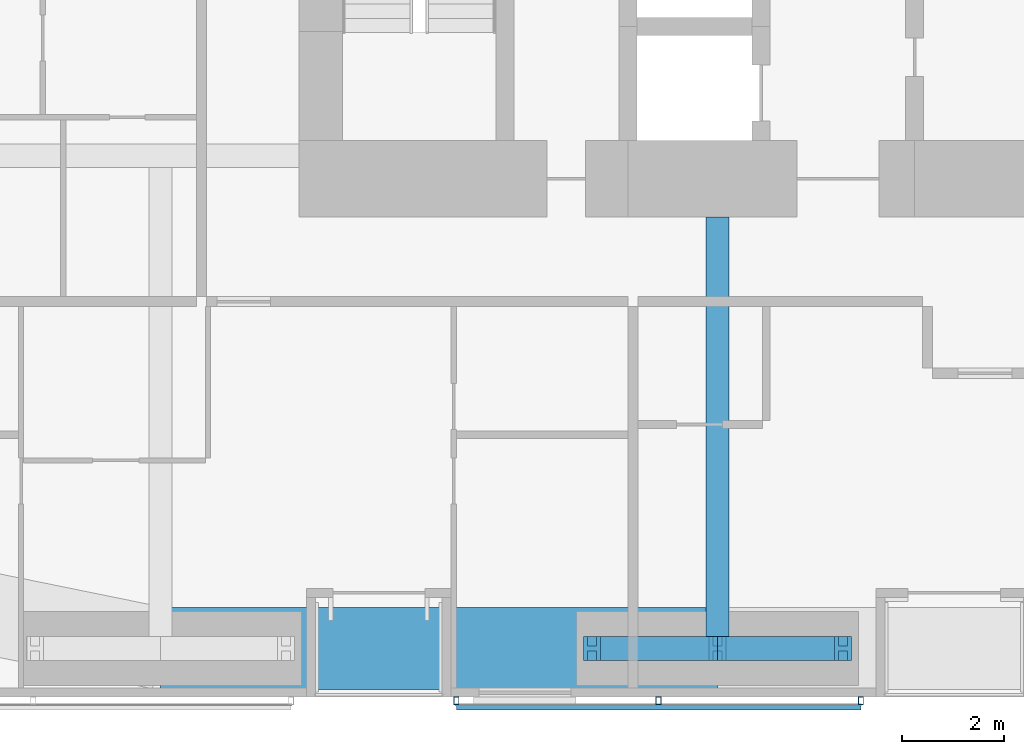
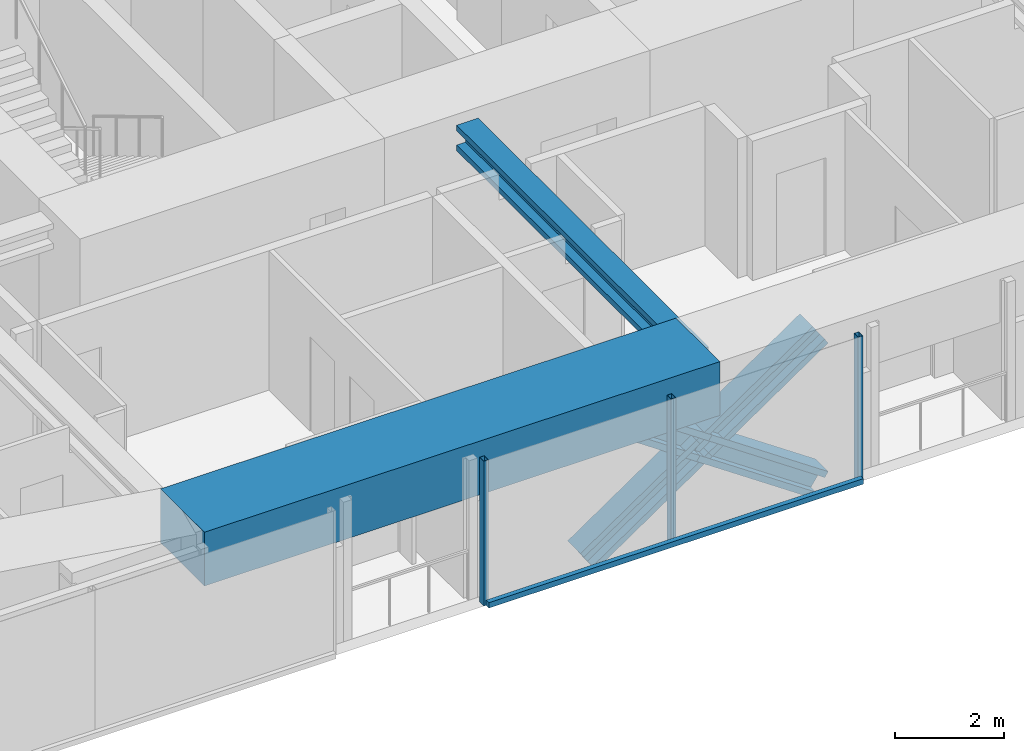
# One storey, part 4 of 23: 8 members, 2 beams, 1 element without a shape of its own.
"""IFC4 building model written with IfcOpenShell, lengths in metres."""

import ifcopenshell
import ifcopenshell.guid

model = None  # the IFC model being written
_history = None  # IfcOwnerHistory: only IFC2X3 demands one
_inside = {}  # id of a spatial element -> (the spatial element, [elements in it])
_under = {}  # id of a project, library or spatial element -> (it, [spatial elements below it])
_declared = {}  # id of a project -> (the project, [libraries it declares])
_typed = {}  # id of a type object -> (the type object, [elements of that type])
_made_of = {}  # id of a material, layer set ... -> (it, [elements and type objects made of it])


def new_model(schema):
    """Start an empty IFC model of exactly this schema.

    Asked for "IFC4X3", IfcOpenShell would pick the latest addendum, in which some entities
    have other attributes; the version numbers below select the first issue.
    IFC2X3 requires an IfcOwnerHistory on every rooted entity: one is made here for all.
    """
    global model, _history
    if schema == "IFC4X3":
        model = ifcopenshell.file(schema_version=(4, 3, 0, 0))
    else:
        model = ifcopenshell.file(schema=schema)
    _inside.clear()
    _under.clear()
    _declared.clear()
    _typed.clear()
    _made_of.clear()
    _history = None
    if model.schema == "IFC2X3":
        org = make("IfcOrganization", Name="unknown")
        user = make(
            "IfcPersonAndOrganization",
            ThePerson=make("IfcPerson", FamilyName="unknown"),
            TheOrganization=org,
        )
        app = make(
            "IfcApplication",
            ApplicationDeveloper=org,
            Version="unknown",
            ApplicationFullName="unknown",
            ApplicationIdentifier="unknown",
        )
        _history = make(
            "IfcOwnerHistory",
            OwningUser=user,
            OwningApplication=app,
            ChangeAction="ADDED",
            CreationDate=0,
        )
    return model


def make(cls, **values):
    """One entity of the class cls with the attributes given. An attribute that is None is left unset."""
    return model.create_entity(
        cls, **{name: value for name, value in values.items() if value is not None}
    )


def rooted(cls, **values):
    """An entity with a GlobalId (a new one), such as an element, a storey or a relation."""
    return make(cls, GlobalId=ifcopenshell.guid.new(), OwnerHistory=_history, **values)


def si_unit(unit_type, name, prefix=None):
    """IfcSIUnit, for example si_unit("LENGTHUNIT", "METRE", prefix="MILLI")."""
    return make("IfcSIUnit", UnitType=unit_type, Prefix=prefix, Name=name)


def assignment(units):
    """IfcUnitAssignment: the units of a project."""
    return None if units is None else make("IfcUnitAssignment", Units=units)


def point(xyz):
    """IfcCartesianPoint."""
    return None if xyz is None else make("IfcCartesianPoint", Coordinates=xyz)


def direction(xyz):
    """IfcDirection."""
    return None if xyz is None else make("IfcDirection", DirectionRatios=xyz)


def frame(location, z_axis=None, x_axis=None):
    """IfcAxis2Placement3D, a coordinate frame: its origin and axes. An axis left out is left unset."""
    return make(
        "IfcAxis2Placement3D",
        Location=point(location),
        Axis=direction(z_axis),
        RefDirection=direction(x_axis),
    )


def frame_2d(location, x_axis=None):
    """IfcAxis2Placement2D, a coordinate frame in the plane: its origin and x axis."""
    return make(
        "IfcAxis2Placement2D", Location=point(location), RefDirection=direction(x_axis)
    )


def origin():
    """The frame at (0, 0, 0) with its axes left unset."""
    return frame((0.0, 0.0, 0.0))


def origin_2d():
    """The frame at (0, 0) in the plane with its x axis left unset."""
    return frame_2d((0.0, 0.0))


def place(relative_to, where):
    """IfcLocalPlacement: puts the frame where relative to a parent placement (None: the world)."""
    return make(
        "IfcLocalPlacement", PlacementRelTo=relative_to, RelativePlacement=where
    )


def context(
    kind, dimensions, precision=None, world=None, true_north=None, identifier=None
):
    """IfcGeometricRepresentationContext, for example the 3D "Model" context."""
    return make(
        "IfcGeometricRepresentationContext",
        ContextIdentifier=identifier,
        ContextType=kind,
        CoordinateSpaceDimension=dimensions,
        Precision=precision,
        WorldCoordinateSystem=world,
        TrueNorth=true_north,
    )


def subcontext(parent, identifier, kind, view, scale=None):
    """IfcGeometricRepresentationSubContext, for example "Body" below "Model"."""
    return make(
        "IfcGeometricRepresentationSubContext",
        ContextIdentifier=identifier,
        ContextType=kind,
        ParentContext=parent,
        TargetScale=scale,
        TargetView=view,
    )


def project(units=None, contexts=None):
    """IfcProject with its units and contexts."""
    return rooted(
        "IfcProject",
        Name="project",
        RepresentationContexts=contexts,
        UnitsInContext=assignment(units),
    )


def spatial(cls, under=None, at=None, **own):
    """A site, building, storey or space (cls), placed at a placement, below another one or the project."""
    s = rooted(cls, ObjectPlacement=at, **own)
    if under is not None:
        _under.setdefault(under.id(), (under, []))[1].append(s)
    return s


def profile(cls, at=None, kind="AREA", **sizes):
    """A parametric profile (cls). Its sizes go by their IFC names, for example OverallWidth=200.0."""
    return make(cls, ProfileType=kind, Position=at, **sizes)


def rectangle(**sizes):
    """IfcRectangleProfileDef."""
    return profile("IfcRectangleProfileDef", **sizes)


def hollow_rectangle(**sizes):
    """IfcRectangleHollowProfileDef."""
    return profile("IfcRectangleHollowProfileDef", **sizes)


def i_section(**sizes):
    """IfcIShapeProfileDef."""
    return profile("IfcIShapeProfileDef", **sizes)


def extrude(swept, where, along, depth):
    """IfcExtrudedAreaSolid: the profile swept, set in the frame where, extruded along a direction by depth."""
    return make(
        "IfcExtrudedAreaSolid",
        SweptArea=swept,
        Position=where,
        ExtrudedDirection=direction(along),
        Depth=depth,
    )


def shape(context_of_items, identifier, shape_type, items):
    """IfcShapeRepresentation: the items that make up one representation, for example the "Body"."""
    return make(
        "IfcShapeRepresentation",
        ContextOfItems=context_of_items,
        RepresentationIdentifier=identifier,
        RepresentationType=shape_type,
        Items=items,
    )


def material(Name=None, Category=None):
    """IfcMaterial."""
    return make("IfcMaterial", Name=Name, Category=Category)


def material_profile(
    of_material, cross_section, Name=None, Category=None, Priority=None
):
    """IfcMaterialProfile: a cross section and its material."""
    return make(
        "IfcMaterialProfile",
        Name=Name,
        Material=of_material,
        Profile=cross_section,
        Priority=Priority,
        Category=Category,
    )


def profile_set(profiles, Name=None, composite=None):
    """IfcMaterialProfileSet."""
    return make(
        "IfcMaterialProfileSet",
        Name=Name,
        MaterialProfiles=profiles,
        CompositeProfile=composite,
    )


def made_of(thing, what):
    """Note that an element or type object is made of a material, layer set ...; save() writes the relation."""
    if what is not None:
        _made_of.setdefault(what.id(), (what, []))[1].append(thing)
    return thing


def type_object(cls, material=None, **own):
    """A type object (cls), such as IfcWallType, which elements share."""
    return made_of(rooted(cls, **own), material)


def element(
    cls,
    number,
    at=None,
    inside=None,
    cuts=None,
    type_object=None,
    material=None,
    context=None,
    identifier="Body",
    shape_type=None,
    held_by="IfcProductDefinitionShape",
    body=None,
    shapes=None,
    **own,
):
    """One element of the class cls, such as IfcWall. Its Tag is "e" and its number.

    at: its placement. inside: the storey or other place that contains it. cuts: it is an
    opening in that element (IfcRelVoidsElement). A single representation is given by context,
    identifier, shape_type and body (its items); several are given by shapes. held_by: the class
    of the entity that holds the representations. save() writes the other relations.
    """
    e = rooted(cls, Tag="e%d" % number, ObjectPlacement=at, **own)
    if body is not None:
        shapes = [shape(context, identifier, shape_type, body)]
    if shapes is not None:
        e.Representation = make(held_by, Representations=shapes)
    if inside is not None:
        _inside.setdefault(inside.id(), (inside, []))[1].append(e)
    if cuts is not None:
        rooted(
            "IfcRelVoidsElement", RelatingBuildingElement=cuts, RelatedOpeningElement=e
        )
    if type_object is not None:
        _typed.setdefault(type_object.id(), (type_object, []))[1].append(e)
    return made_of(e, material)


def aggregate(whole, parts):
    """IfcRelAggregates: a whole, such as a stair, and the parts it consists of."""
    return rooted("IfcRelAggregates", RelatingObject=whole, RelatedObjects=parts)


def save(model, path):
    """Write the relations noted so far, then the file.

    IfcRelAggregates (storeys below a building ...), IfcRelContainedInSpatialStructure (elements
    in a storey), IfcRelDefinesByType, IfcRelAssociatesMaterial and IfcRelDeclares: one each for
    every whole, place, type object, material and project.
    """
    for whole, parts in _under.values():
        aggregate(whole, parts)
    for where, things in _inside.values():
        rooted(
            "IfcRelContainedInSpatialStructure",
            RelatedElements=things,
            RelatingStructure=where,
        )
    for kind, things in _typed.values():
        rooted("IfcRelDefinesByType", RelatedObjects=things, RelatingType=kind)
    for what, things in _made_of.values():
        rooted("IfcRelAssociatesMaterial", RelatedObjects=things, RelatingMaterial=what)
    for by, libraries in _declared.values():
        rooted("IfcRelDeclares", RelatingContext=by, RelatedDefinitions=libraries)
    model.write(path)


model = new_model("IFC4")

# Units and contexts
model_context = context("Model", 3, precision=1e-05, world=origin(), true_north=direction((0.0, 1.0)))
body_context = subcontext(model_context, "Body", "Model", "MODEL_VIEW")
ifc_project = project(units=[si_unit("LENGTHUNIT", "METRE"), si_unit("AREAUNIT", "SQUARE_METRE"), si_unit("VOLUMEUNIT", "CUBIC_METRE"), si_unit("PLANEANGLEUNIT", "RADIAN"), si_unit("MASSUNIT", "GRAM", prefix="KILO")], contexts=[model_context])

# Site, building, storey
site_placement = place(None, origin())
site = spatial("IfcSite", under=ifc_project, at=site_placement, CompositionType="ELEMENT")
building_placement = place(site_placement, origin())
building = spatial("IfcBuilding", under=site, at=building_placement, Name="Jalousie Tower", CompositionType="ELEMENT")
storey_placement = place(building_placement, frame((0.0, 0.0, 111.550048828125)))
storey = spatial("IfcBuildingStorey", under=building, at=storey_placement, Name="L30", CompositionType="ELEMENT", Elevation=111.550048828125)

# Beam
ifc_material_1 = material(Name="Steel ASTM A992 Grade 50", Category="steel")
ifc_material_profile_1 = material_profile(ifc_material_1, i_section(OverallWidth=0.45458984375, OverallDepth=0.569091796875, WebThickness=0.077880859375, FlangeThickness=0.124755859375, at=origin_2d()), Name="W14X730")
ifc_profile_set_1 = profile_set([ifc_material_profile_1], Name="Steel ASTM A992 Grade 50")
beam_type_1 = type_object("IfcBeamType", Name="LEAN COLLECTOR W14X730", PredefinedType="BEAM", material=ifc_profile_set_1)
beam_1_placement = place(storey_placement, frame((27.75, 0.949951171875, 2.825439453125), z_axis=(0.0, 1.0, 0.0), x_axis=(-1.0, 0.0, 0.0)))
element("IfcBeam", 1, at=beam_1_placement, inside=storey, type_object=beam_type_1, Name="Lean collector under L31", PredefinedType="BEAM", context=body_context, shape_type="SweptSolid", body=[
    extrude(i_section(OverallWidth=0.45458984375, OverallDepth=0.569091796875, WebThickness=0.077880859375, FlangeThickness=0.124755859375, at=origin_2d()), origin(), (0.0, 0.0, 1.0), 8.425048828125),
])

# Members
ifc_material_2 = material(Name="Steel ASTM A992 Grade 50", Category="steel")
ifc_material_profile_2 = material_profile(ifc_material_2, i_section(OverallWidth=0.472412109375, OverallDepth=0.5791015625, WebThickness=0.094970703125, FlangeThickness=0.1298828125, at=origin_2d()), Name="W14X808")
ifc_profile_set_2 = profile_set([ifc_material_profile_2], Name="Steel ASTM A992 Grade 50")
member_type_1 = type_object("IfcMemberType", Name="PERIMETER BRACE W14X808", PredefinedType="BRACE", material=ifc_profile_set_2)
for number, where, z_axis, x_axis, name in (
    (2, (25.300048828125, 0.949951171875, -0.60009765625), (0.825500916831, 0.0, 0.564400776321), (0.0, 1.0, 0.0), "Perimeter brace 03 L30 part 1"),
    (3, (27.75, 0.949951171875, 1.074951171875), (0.825500916831, 0.0, 0.564400776321), (0.0, 1.0, 0.0), "Perimeter brace 03 L30 part 2"),
    (4, (30.199951171875, 0.949951171875, -0.60009765625), (-0.825500916831, 0.0, 0.564400776321), (0.0, -1.0, 0.0), "Perimeter brace 03 L30 part 3"),
    (5, (27.75, 0.949951171875, 1.074951171875), (-0.825500916831, 0.0, 0.564400776321), (0.0, -1.0, 0.0), "Perimeter brace 03 L30 part 4"),
):
    element("IfcMember", number, at=place(storey_placement, frame(where, z_axis=z_axis, x_axis=x_axis)), inside=storey, type_object=member_type_1, Name=name, PredefinedType="BRACE", context=body_context, shape_type="SweptSolid", body=[
        extrude(i_section(OverallWidth=0.472412109375, OverallDepth=0.5791015625, WebThickness=0.094970703125, FlangeThickness=0.1298828125, at=origin_2d()), origin(), (0.0, 0.0, 1.0), 2.9677734375),
    ])

# Beam
ifc_material_3 = material(Name="Concrete f'c 40 MPa", Category="concrete")
ifc_material_profile_3 = material_profile(ifc_material_3, rectangle(XDim=1.60009765625, YDim=1.199951171875, at=origin_2d()), Name="RC 1600x1200")
ifc_profile_set_3 = profile_set([ifc_material_profile_3], Name="Concrete f'c 40 MPa")
beam_type_2 = type_object("IfcBeamType", Name="RC BEAM 1600x1200", PredefinedType="BEAM", material=ifc_profile_set_3)
beam_2_placement = place(storey_placement, frame((16.875, 0.949951171875, 2.75), z_axis=(1.0, 0.0, 0.0), x_axis=(0.0, 1.0, 0.0)))
element("IfcBeam", 6, at=beam_2_placement, inside=storey, type_object=beam_type_2, Name="Edge band beam 02-03 under L31", PredefinedType="BEAM", context=body_context, shape_type="SweptSolid", body=[
    extrude(rectangle(XDim=1.60009765625, YDim=1.199951171875, at=origin_2d()), origin(), (0.0, 0.0, 1.0), 10.875),
])

# Curtain wall, members
ifc_material_4 = material(Name="Perforated aluminium sheet", Category="aluminium")
curtain_wall_type = type_object("IfcCurtainWallType", Name="SOLAR SCREEN SS-1", PredefinedType="USERDEFINED", material=ifc_material_4)
curtain_wall_placement = place(storey_placement, origin())
curtain_wall = element("IfcCurtainWall", 7, at=curtain_wall_placement, inside=storey, type_object=curtain_wall_type, Name="Solar screen L30", ObjectType="SOLAR SCREEN SS-1", PredefinedType="USERDEFINED")
ifc_material_5 = material(Name="Steel ASTM A500 Grade C", Category="steel")
ifc_material_profile_4 = material_profile(ifc_material_5, hollow_rectangle(XDim=0.1015625, YDim=0.15234375, WallThickness=0.00634765625, at=origin_2d()), Name="HSS6X4X1/4")
ifc_profile_set_4 = profile_set([ifc_material_profile_4], Name="Steel ASTM A500 Grade C")
member_type_2 = type_object("IfcMemberType", Name="SOLAR SCREEN SS-1 MULLION", PredefinedType="MULLION", material=ifc_profile_set_4)
member_1_placement = place(storey_placement, frame((22.64990234375, -0.0712890625, -0.1201171875), z_axis=(0.0, 0.0, 1.0), x_axis=(1.0, 0.0, 0.0)))
member_1 = element("IfcMember", 8, at=member_1_placement, type_object=member_type_2, Name="SS1 post 1", PredefinedType="MULLION", context=body_context, shape_type="SweptSolid", body=[
    extrude(hollow_rectangle(XDim=0.1015625, YDim=0.15234375, WallThickness=0.00634765625, at=origin_2d()), origin(), (0.0, 0.0, 1.0), 3.22998046875),
])
member_2_placement = place(storey_placement, frame((26.60009765625, -0.0712890625, -0.1201171875), z_axis=(0.0, 0.0, 1.0), x_axis=(1.0, 0.0, 0.0)))
member_2 = element("IfcMember", 9, at=member_2_placement, type_object=member_type_2, Name="SS1 post 2", PredefinedType="MULLION", context=body_context, shape_type="SweptSolid", body=[
    extrude(hollow_rectangle(XDim=0.1015625, YDim=0.15234375, WallThickness=0.00634765625, at=origin_2d()), origin(), (0.0, 0.0, 1.0), 3.22998046875),
])
member_3_placement = place(storey_placement, frame((30.550048828125, -0.0712890625, -0.1201171875), z_axis=(0.0, 0.0, 1.0), x_axis=(1.0, 0.0, 0.0)))
member_3 = element("IfcMember", 10, at=member_3_placement, type_object=member_type_2, Name="SS1 post 3", PredefinedType="MULLION", context=body_context, shape_type="SweptSolid", body=[
    extrude(hollow_rectangle(XDim=0.1015625, YDim=0.15234375, WallThickness=0.00634765625, at=origin_2d()), origin(), (0.0, 0.0, 1.0), 3.22998046875),
])
ifc_material_6 = material(Name="Extruded aluminium screen rail", Category="aluminium")
ifc_material_profile_5 = material_profile(ifc_material_6, rectangle(XDim=0.1015625, YDim=0.1201171875, at=origin_2d()), Name="RAIL 102x120")
ifc_profile_set_5 = profile_set([ifc_material_profile_5], Name="Extruded aluminium screen rail")
member_type_3 = type_object("IfcMemberType", Name="SOLAR SCREEN SS-1 TRANSOM", PredefinedType="USERDEFINED", material=ifc_profile_set_5)
member_4_placement = place(storey_placement, frame((22.64990234375, -0.1982421875, -0.06005859375), z_axis=(1.0, 0.0, 0.0), x_axis=(0.0, 1.0, 0.0)))
member_4 = element("IfcMember", 11, at=member_4_placement, type_object=member_type_3, Name="SS1 rail", ObjectType="TRANSOM", PredefinedType="USERDEFINED", context=body_context, shape_type="SweptSolid", body=[
    extrude(rectangle(XDim=0.1015625, YDim=0.1201171875, at=origin_2d()), origin(), (0.0, 0.0, 1.0), 7.900146484375),
])
aggregate(curtain_wall, [member_1, member_2, member_3, member_4])

save(model, "model.ifc")
